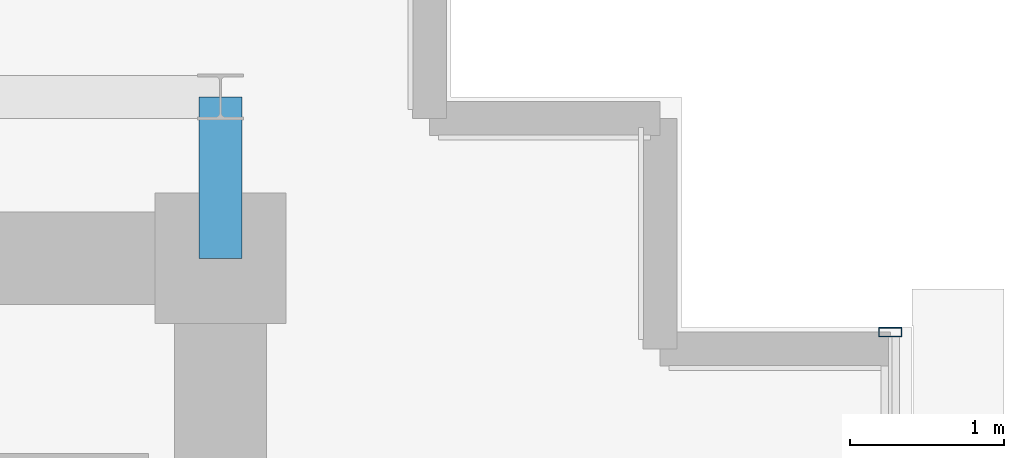
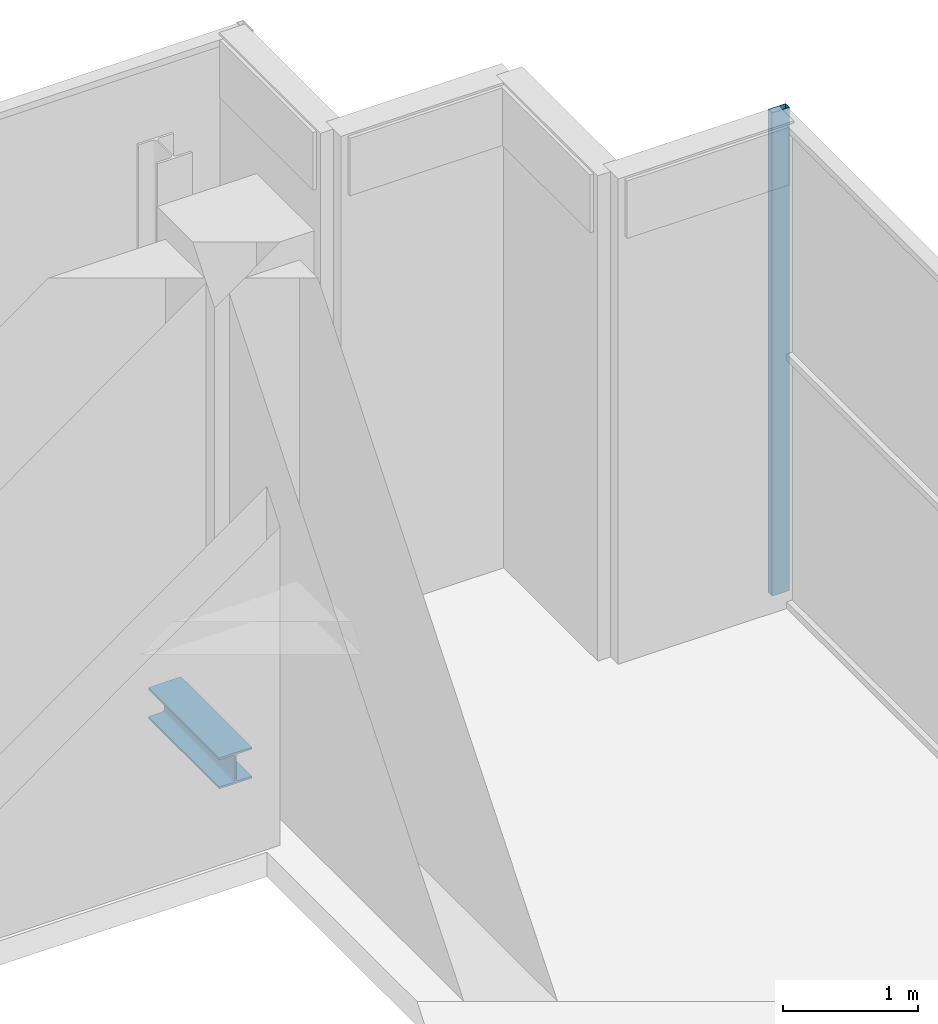
# One storey, part 18 of 26: 1 beam, 1 member, 1 element without a shape of its own.
"""IFC4 building model written with IfcOpenShell, lengths in metres."""

import ifcopenshell
import ifcopenshell.guid

model = None  # the IFC model being written
_history = None  # IfcOwnerHistory: only IFC2X3 demands one
_inside = {}  # id of a spatial element -> (the spatial element, [elements in it])
_under = {}  # id of a project, library or spatial element -> (it, [spatial elements below it])
_declared = {}  # id of a project -> (the project, [libraries it declares])
_typed = {}  # id of a type object -> (the type object, [elements of that type])
_made_of = {}  # id of a material, layer set ... -> (it, [elements and type objects made of it])


def new_model(schema):
    """Start an empty IFC model of exactly this schema.

    Asked for "IFC4X3", IfcOpenShell would pick the latest addendum, in which some entities
    have other attributes; the version numbers below select the first issue.
    IFC2X3 requires an IfcOwnerHistory on every rooted entity: one is made here for all.
    """
    global model, _history
    if schema == "IFC4X3":
        model = ifcopenshell.file(schema_version=(4, 3, 0, 0))
    else:
        model = ifcopenshell.file(schema=schema)
    _inside.clear()
    _under.clear()
    _declared.clear()
    _typed.clear()
    _made_of.clear()
    _history = None
    if model.schema == "IFC2X3":
        org = make("IfcOrganization", Name="unknown")
        user = make(
            "IfcPersonAndOrganization",
            ThePerson=make("IfcPerson", FamilyName="unknown"),
            TheOrganization=org,
        )
        app = make(
            "IfcApplication",
            ApplicationDeveloper=org,
            Version="unknown",
            ApplicationFullName="unknown",
            ApplicationIdentifier="unknown",
        )
        _history = make(
            "IfcOwnerHistory",
            OwningUser=user,
            OwningApplication=app,
            ChangeAction="ADDED",
            CreationDate=0,
        )
    return model


def make(cls, **values):
    """One entity of the class cls with the attributes given. An attribute that is None is left unset."""
    return model.create_entity(
        cls, **{name: value for name, value in values.items() if value is not None}
    )


def rooted(cls, **values):
    """An entity with a GlobalId (a new one), such as an element, a storey or a relation."""
    return make(cls, GlobalId=ifcopenshell.guid.new(), OwnerHistory=_history, **values)


def si_unit(unit_type, name, prefix=None):
    """IfcSIUnit, for example si_unit("LENGTHUNIT", "METRE", prefix="MILLI")."""
    return make("IfcSIUnit", UnitType=unit_type, Prefix=prefix, Name=name)


def assignment(units):
    """IfcUnitAssignment: the units of a project."""
    return None if units is None else make("IfcUnitAssignment", Units=units)


def point(xyz):
    """IfcCartesianPoint."""
    return None if xyz is None else make("IfcCartesianPoint", Coordinates=xyz)


def direction(xyz):
    """IfcDirection."""
    return None if xyz is None else make("IfcDirection", DirectionRatios=xyz)


def frame(location, z_axis=None, x_axis=None):
    """IfcAxis2Placement3D, a coordinate frame: its origin and axes. An axis left out is left unset."""
    return make(
        "IfcAxis2Placement3D",
        Location=point(location),
        Axis=direction(z_axis),
        RefDirection=direction(x_axis),
    )


def frame_2d(location, x_axis=None):
    """IfcAxis2Placement2D, a coordinate frame in the plane: its origin and x axis."""
    return make(
        "IfcAxis2Placement2D", Location=point(location), RefDirection=direction(x_axis)
    )


def origin():
    """The frame at (0, 0, 0) with its axes left unset."""
    return frame((0.0, 0.0, 0.0))


def origin_2d():
    """The frame at (0, 0) in the plane with its x axis left unset."""
    return frame_2d((0.0, 0.0))


def place(relative_to, where):
    """IfcLocalPlacement: puts the frame where relative to a parent placement (None: the world)."""
    return make(
        "IfcLocalPlacement", PlacementRelTo=relative_to, RelativePlacement=where
    )


def context(
    kind, dimensions, precision=None, world=None, true_north=None, identifier=None
):
    """IfcGeometricRepresentationContext, for example the 3D "Model" context."""
    return make(
        "IfcGeometricRepresentationContext",
        ContextIdentifier=identifier,
        ContextType=kind,
        CoordinateSpaceDimension=dimensions,
        Precision=precision,
        WorldCoordinateSystem=world,
        TrueNorth=true_north,
    )


def subcontext(parent, identifier, kind, view, scale=None):
    """IfcGeometricRepresentationSubContext, for example "Body" below "Model"."""
    return make(
        "IfcGeometricRepresentationSubContext",
        ContextIdentifier=identifier,
        ContextType=kind,
        ParentContext=parent,
        TargetScale=scale,
        TargetView=view,
    )


def project(units=None, contexts=None):
    """IfcProject with its units and contexts."""
    return rooted(
        "IfcProject",
        Name="project",
        RepresentationContexts=contexts,
        UnitsInContext=assignment(units),
    )


def spatial(cls, under=None, at=None, **own):
    """A site, building, storey or space (cls), placed at a placement, below another one or the project."""
    s = rooted(cls, ObjectPlacement=at, **own)
    if under is not None:
        _under.setdefault(under.id(), (under, []))[1].append(s)
    return s


def profile(cls, at=None, kind="AREA", **sizes):
    """A parametric profile (cls). Its sizes go by their IFC names, for example OverallWidth=200.0."""
    return make(cls, ProfileType=kind, Position=at, **sizes)


def hollow_rectangle(**sizes):
    """IfcRectangleHollowProfileDef."""
    return profile("IfcRectangleHollowProfileDef", **sizes)


def i_section(**sizes):
    """IfcIShapeProfileDef."""
    return profile("IfcIShapeProfileDef", **sizes)


def extrude(swept, where, along, depth):
    """IfcExtrudedAreaSolid: the profile swept, set in the frame where, extruded along a direction by depth."""
    return make(
        "IfcExtrudedAreaSolid",
        SweptArea=swept,
        Position=where,
        ExtrudedDirection=direction(along),
        Depth=depth,
    )


def shape(context_of_items, identifier, shape_type, items):
    """IfcShapeRepresentation: the items that make up one representation, for example the "Body"."""
    return make(
        "IfcShapeRepresentation",
        ContextOfItems=context_of_items,
        RepresentationIdentifier=identifier,
        RepresentationType=shape_type,
        Items=items,
    )


def source(mapping_origin, context_of_items, identifier, shape_type, items):
    """IfcRepresentationMap: a shape defined once, which mapped items show again and again."""
    return make(
        "IfcRepresentationMap",
        MappingOrigin=mapping_origin,
        MappedRepresentation=shape(context_of_items, identifier, shape_type, items),
    )


def transform(
    local_origin,
    x_axis=None,
    y_axis=None,
    z_axis=None,
    scale=None,
    scale2=None,
    scale3=None,
    uniform=True,
):
    """IfcCartesianTransformationOperator3D, or its non-uniform kind. x_axis, y_axis, z_axis: its Axis1, 2, 3."""
    if uniform:
        return make(
            "IfcCartesianTransformationOperator3D",
            Axis1=direction(x_axis),
            Axis2=direction(y_axis),
            LocalOrigin=point(local_origin),
            Scale=scale,
            Axis3=direction(z_axis),
        )
    return make(
        "IfcCartesianTransformationOperator3DnonUniform",
        Axis1=direction(x_axis),
        Axis2=direction(y_axis),
        LocalOrigin=point(local_origin),
        Scale=scale,
        Axis3=direction(z_axis),
        Scale2=scale2,
        Scale3=scale3,
    )


def mapped(mapping_source, mapping_target):
    """IfcMappedItem: shows the shape of a source again, moved by a transform."""
    return make(
        "IfcMappedItem", MappingSource=mapping_source, MappingTarget=mapping_target
    )


def material(Name=None, Category=None):
    """IfcMaterial."""
    return make("IfcMaterial", Name=Name, Category=Category)


def layer(
    of_material, thickness, ventilated=None, Name=None, Category=None, Priority=None
):
    """IfcMaterialLayer: one layer of a wall or slab, of a material (None: an air gap)."""
    return make(
        "IfcMaterialLayer",
        Material=of_material,
        LayerThickness=thickness,
        IsVentilated=ventilated,
        Name=Name,
        Category=Category,
        Priority=Priority,
    )


def layer_set(layers, Name=None):
    """IfcMaterialLayerSet."""
    return make("IfcMaterialLayerSet", MaterialLayers=layers, LayerSetName=Name)


def material_profile(
    of_material, cross_section, Name=None, Category=None, Priority=None
):
    """IfcMaterialProfile: a cross section and its material."""
    return make(
        "IfcMaterialProfile",
        Name=Name,
        Material=of_material,
        Profile=cross_section,
        Priority=Priority,
        Category=Category,
    )


def profile_set(profiles, Name=None, composite=None):
    """IfcMaterialProfileSet."""
    return make(
        "IfcMaterialProfileSet",
        Name=Name,
        MaterialProfiles=profiles,
        CompositeProfile=composite,
    )


def made_of(thing, what):
    """Note that an element or type object is made of a material, layer set ...; save() writes the relation."""
    if what is not None:
        _made_of.setdefault(what.id(), (what, []))[1].append(thing)
    return thing


def type_object(cls, material=None, **own):
    """A type object (cls), such as IfcWallType, which elements share."""
    return made_of(rooted(cls, **own), material)


def element(
    cls,
    number,
    at=None,
    inside=None,
    cuts=None,
    type_object=None,
    material=None,
    context=None,
    identifier="Body",
    shape_type=None,
    held_by="IfcProductDefinitionShape",
    body=None,
    shapes=None,
    **own,
):
    """One element of the class cls, such as IfcWall. Its Tag is "e" and its number.

    at: its placement. inside: the storey or other place that contains it. cuts: it is an
    opening in that element (IfcRelVoidsElement). A single representation is given by context,
    identifier, shape_type and body (its items); several are given by shapes. held_by: the class
    of the entity that holds the representations. save() writes the other relations.
    """
    e = rooted(cls, Tag="e%d" % number, ObjectPlacement=at, **own)
    if body is not None:
        shapes = [shape(context, identifier, shape_type, body)]
    if shapes is not None:
        e.Representation = make(held_by, Representations=shapes)
    if inside is not None:
        _inside.setdefault(inside.id(), (inside, []))[1].append(e)
    if cuts is not None:
        rooted(
            "IfcRelVoidsElement", RelatingBuildingElement=cuts, RelatedOpeningElement=e
        )
    if type_object is not None:
        _typed.setdefault(type_object.id(), (type_object, []))[1].append(e)
    return made_of(e, material)


def aggregate(whole, parts):
    """IfcRelAggregates: a whole, such as a stair, and the parts it consists of."""
    return rooted("IfcRelAggregates", RelatingObject=whole, RelatedObjects=parts)


def save(model, path):
    """Write the relations noted so far, then the file.

    IfcRelAggregates (storeys below a building ...), IfcRelContainedInSpatialStructure (elements
    in a storey), IfcRelDefinesByType, IfcRelAssociatesMaterial and IfcRelDeclares: one each for
    every whole, place, type object, material and project.
    """
    for whole, parts in _under.values():
        aggregate(whole, parts)
    for where, things in _inside.values():
        rooted(
            "IfcRelContainedInSpatialStructure",
            RelatedElements=things,
            RelatingStructure=where,
        )
    for kind, things in _typed.values():
        rooted("IfcRelDefinesByType", RelatedObjects=things, RelatingType=kind)
    for what, things in _made_of.values():
        rooted("IfcRelAssociatesMaterial", RelatedObjects=things, RelatingMaterial=what)
    for by, libraries in _declared.values():
        rooted("IfcRelDeclares", RelatingContext=by, RelatedDefinitions=libraries)
    model.write(path)


model = new_model("IFC4")

# Units and contexts
model_context = context("Model", 3, precision=1e-05, world=origin(), true_north=direction((0.0, 1.0)))
body_context = subcontext(model_context, "Body", "Model", "MODEL_VIEW")
ifc_project = project(units=[si_unit("LENGTHUNIT", "METRE"), si_unit("AREAUNIT", "SQUARE_METRE"), si_unit("VOLUMEUNIT", "CUBIC_METRE"), si_unit("PLANEANGLEUNIT", "RADIAN"), si_unit("MASSUNIT", "GRAM", prefix="KILO")], contexts=[model_context])

# Site, building, storey
site_placement = place(None, origin())
site = spatial("IfcSite", under=ifc_project, at=site_placement, CompositionType="ELEMENT")
building_placement = place(site_placement, origin())
building = spatial("IfcBuilding", under=site, at=building_placement, Name="Zarnakvel Exchange Tower", CompositionType="ELEMENT")
storey_placement = place(building_placement, frame((0.0, 0.0, 285.39990234375)))
storey = spatial("IfcBuildingStorey", under=building, at=storey_placement, Name="Crown L80", CompositionType="ELEMENT", Elevation=285.39990234375)

# Beam
ifc_material_1 = material(Name="Steel S355", Category="steel")
ifc_material_profile_1 = material_profile(ifc_material_1, i_section(OverallWidth=0.280029296875, OverallDepth=0.280029296875, WebThickness=0.010498046875, FlangeThickness=0.01806640625, FilletRadius=0.02392578125, at=origin_2d()))
ifc_profile_set_1 = profile_set([ifc_material_profile_1], Name="Steel S355")
beam_type = type_object("IfcBeamType", Name="SP-04", PredefinedType="SPANDREL", material=ifc_profile_set_1)
beam_placement = place(storey_placement, frame((14.39990234375, 13.5, -0.35986328125), z_axis=(0.0, 1.0, 0.0), x_axis=(-1.0, 0.0, 0.0)))
element("IfcBeam", 1, at=beam_placement, inside=storey, type_object=beam_type, Name="Crown L80 Tower N-S Frame Beam", PredefinedType="SPANDREL", context=body_context, shape_type="SweptSolid", body=[
    extrude(i_section(OverallWidth=0.280029296875, OverallDepth=0.280029296875, WebThickness=0.010498046875, FlangeThickness=0.01806640625, FilletRadius=0.02392578125, at=origin_2d()), origin(), (0.0, 0.0, 1.0), 1.050048828125),
])

# Curtain wall, member
ifc_material_2 = material(Name="Architectural Bronze Anodised Aluminium", Category="aluminium")
ifc_layer = layer(ifc_material_2, 0.14990234375)
ifc_layer_set = layer_set([ifc_layer], Name="Architectural Bronze Anodised Aluminium")
curtain_wall_type = type_object("IfcCurtainWallType", Name="CW-07", PredefinedType="NOTDEFINED", material=ifc_layer_set)
curtain_wall_placement = place(storey_placement, origin())
curtain_wall = element("IfcCurtainWall", 2, at=curtain_wall_placement, inside=storey, type_object=curtain_wall_type, Name="Crown L80 Curtain Wall CW-Crown L80-E (CW-07)", PredefinedType="NOTDEFINED")
ifc_material_profile_2 = material_profile(ifc_material_2, hollow_rectangle(XDim=0.14990234375, YDim=0.06005859375, WallThickness=0.00390625, at=origin_2d()))
ifc_profile_set_2 = profile_set([ifc_material_profile_2], Name="Architectural Bronze Anodised Aluminium")
member_type = type_object("IfcMemberType", Name="CWM-07", PredefinedType="MULLION", material=ifc_profile_set_2)
shared_shape = source(origin(), body_context, "Body", "SweptSolid", [
    extrude(hollow_rectangle(XDim=0.14990234375, YDim=0.06005859375, WallThickness=0.00390625, at=origin_2d()), origin(), (0.0, 0.0, 1.0), 4.360107421875),
])
member_placement = place(storey_placement, frame((18.760009765625, 13.02001953125, 0.0), z_axis=(0.0, 0.0, 1.0), x_axis=(-1.0, 0.0, 0.0)))
member = element("IfcMember", 3, at=member_placement, type_object=member_type, Name="CW-07 mullion 5", PredefinedType="MULLION", context=body_context, shape_type="MappedRepresentation", body=[
    mapped(shared_shape, transform((0.0, 0.0, 0.0), x_axis=(1.0, 0.0, 0.0), y_axis=(0.0, 1.0, 0.0), z_axis=(0.0, 0.0, 1.0), scale=1.0)),
])
aggregate(curtain_wall, [member])

save(model, "model.ifc")
